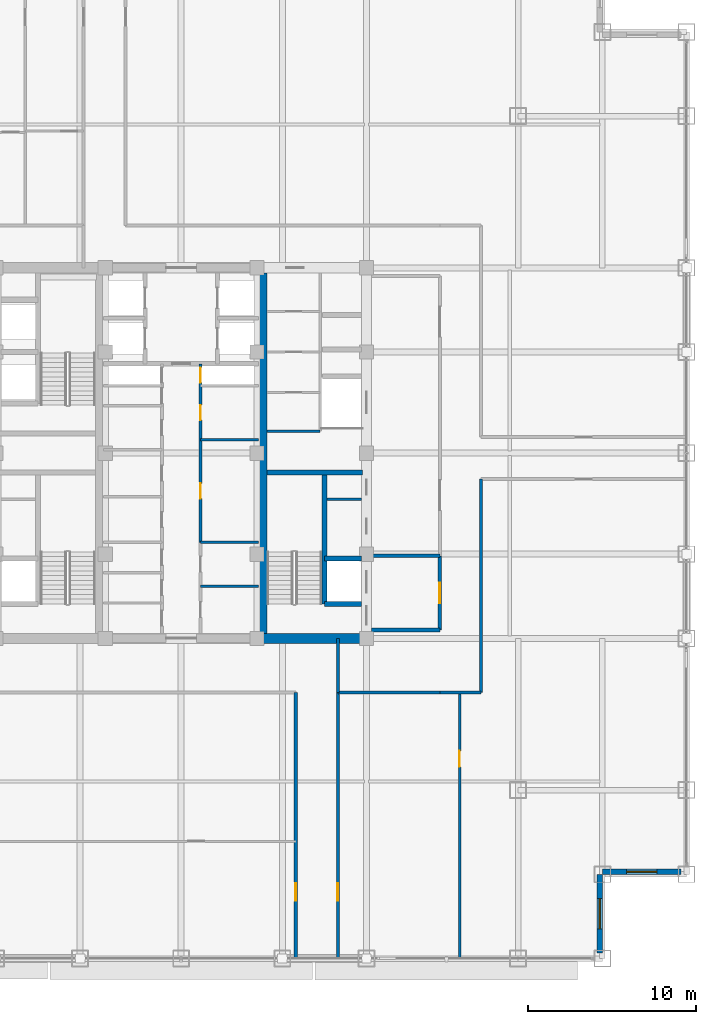
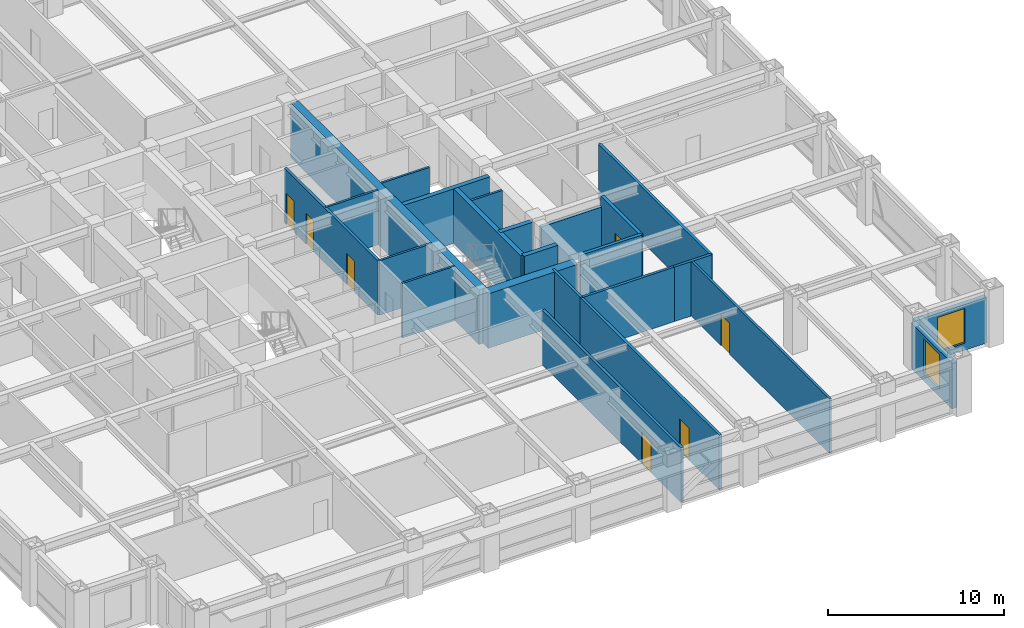
# One storey, part 21 of 29: 24 walls, 7 doors, 2 windows, 9 openings.
"""IFC4 building model written with IfcOpenShell, lengths in metres."""

from ifc_helpers import new_model, si_unit, direction, frame, frame_2d, origin, place, context, subcontext, project, spatial, rectangle, extrude, source, transform, mapped, material, layer, layer_set, type_object, element, fill, save


model = new_model("IFC4")

# Units and contexts
model_context = context("Model", 3, precision=1e-05, world=origin(), true_north=direction((0.0, 1.0)))
body_context = subcontext(model_context, "Body", "Model", "MODEL_VIEW")
ifc_project = project(units=[si_unit("LENGTHUNIT", "METRE"), si_unit("AREAUNIT", "SQUARE_METRE"), si_unit("VOLUMEUNIT", "CUBIC_METRE"), si_unit("PLANEANGLEUNIT", "RADIAN"), si_unit("MASSUNIT", "GRAM", prefix="KILO")], contexts=[model_context])

# Site, building, storey
site_placement = place(None, origin())
site = spatial("IfcSite", under=ifc_project, at=site_placement, CompositionType="ELEMENT")
building_placement = place(site_placement, origin())
building = spatial("IfcBuilding", under=site, at=building_placement, Name="Khorayat Bourse Tower", CompositionType="ELEMENT")
storey_placement = place(building_placement, frame((0.0, 0.0, 235.10009765625)))
storey = spatial("IfcBuildingStorey", under=building, at=storey_placement, Name="L55", CompositionType="ELEMENT", Elevation=235.10009765625)

# Walls
ifc_material_1 = material(Name="Concrete C52/65", Category="concrete")
ifc_layer_1 = layer(ifc_material_1, 0.5)
ifc_layer_set_1 = layer_set([ifc_layer_1], Name="Concrete C52/65")
wall_type_1 = type_object("IfcWallType", Name="WAL-CORE-500", PredefinedType="SHEAR", material=ifc_layer_set_1)
shared_shape_1 = source(origin(), body_context, "Body", "SweptSolid", [
    extrude(rectangle(XDim=21.39990234375, YDim=0.5, at=frame_2d((10.699951171875, 0.0))), origin(), (0.0, 0.0, 1.0), 3.77978515625),
])
wall_1_placement = place(storey_placement, frame((4.85009765625, -10.699951171875, 0.0), z_axis=(0.0, 0.0, 1.0), x_axis=(0.0, 1.0, 0.0)))
element("IfcWall", 1, at=wall_1_placement, inside=storey, type_object=wall_type_1, Name="L55 Core Shear Wall PIER-E", PredefinedType="SHEAR", context=body_context, shape_type="MappedRepresentation", body=[
    mapped(shared_shape_1, transform((0.0, 0.0, 0.0), scale=1.0)),
])
ifc_material_2 = material(Name="Concrete C60/75", Category="concrete")
ifc_layer_2 = layer(ifc_material_2, 0.60009765625)
ifc_layer_set_2 = layer_set([ifc_layer_2], Name="Concrete C60/75")
wall_type_2 = type_object("IfcWallType", Name="WAL-CORE-600", PredefinedType="SHEAR", material=ifc_layer_set_2)
shared_shape_2 = source(origin(), body_context, "Body", "SweptSolid", [
    extrude(rectangle(XDim=5.89990234375, YDim=0.60009765625, at=frame_2d((2.949951171875, 0.0))), origin(), (0.0, 0.0, 1.0), 3.77978515625),
])
wall_2_placement = place(storey_placement, frame((4.85009765625, -11.0, 0.0), z_axis=(0.0, 0.0, 1.0), x_axis=(1.0, 0.0, 0.0)))
element("IfcWall", 2, at=wall_2_placement, inside=storey, type_object=wall_type_2, Name="L55 Core Shear Wall PIER-ES", PredefinedType="SHEAR", context=body_context, shape_type="MappedRepresentation", body=[
    mapped(shared_shape_2, transform((0.0, 0.0, 0.0), scale=1.0)),
])
ifc_material_3 = material(Name="Concrete C50/60", Category="concrete")
ifc_layer_3 = layer(ifc_material_3, 0.300048828125)
ifc_layer_set_3 = layer_set([ifc_layer_3], Name="Concrete C50/60")
wall_type_3 = type_object("IfcWallType", Name="WAL-SHAFT-300", PredefinedType="SHEAR", material=ifc_layer_set_3)
shared_shape_3 = source(origin(), body_context, "Body", "SweptSolid", [
    extrude(rectangle(XDim=5.64990234375, YDim=0.300048828125, at=frame_2d((2.824951171875, 0.0))), origin(), (0.0, 0.0, 1.0), 3.77978515625),
])
wall_3_placement = place(storey_placement, frame((5.10009765625, -1.14990234375, 0.0), z_axis=(0.0, 0.0, 1.0), x_axis=(1.0, 0.0, 0.0)))
element("IfcWall", 3, at=wall_3_placement, inside=storey, type_object=wall_type_3, Name="L55 Core Shear Wall ST3-DIV", PredefinedType="SHEAR", context=body_context, shape_type="MappedRepresentation", body=[
    mapped(shared_shape_3, transform((0.0, 0.0, 0.0), scale=1.0)),
])

# Wall, opening, window
ifc_material_4 = material(Name="Precast concrete C45/55", Category="concrete")
ifc_layer_4 = layer(ifc_material_4, 0.320068359375)
ifc_layer_set_4 = layer_set([ifc_layer_4], Name="Precast concrete C45/55")
wall_type_4 = type_object("IfcWallType", Name="WAL-EXT-STONE-320", PredefinedType="STANDARD", material=ifc_layer_set_4)
shared_shape_4 = source(origin(), body_context, "Body", "SweptSolid", [
    extrude(rectangle(XDim=4.679931640625, YDim=0.320068359375, at=frame_2d((2.33984375, 0.0))), origin(), (0.0, 0.0, 1.0), 3.163818359375),
])
wall_4_placement = place(storey_placement, frame((24.840087890625, -29.679931640625, 0.0), z_axis=(0.0, 0.0, 1.0), x_axis=(0.0, 1.0, 0.0)))
wall_4 = element("IfcWall", 4, at=wall_4_placement, inside=storey, type_object=wall_type_4, Name="L55 Re-Entrant Notch Limestone Wall SE-V", PredefinedType="STANDARD", context=body_context, shape_type="MappedRepresentation", body=[
    mapped(shared_shape_4, transform((0.0, 0.0, 0.0), scale=1.0)),
])
shared_shape_5 = source(origin(), body_context, "Body", "SweptSolid", [
    extrude(rectangle(XDim=1.800048828125, YDim=2.39990234375, at=frame_2d((0.89990234375, 1.199951171875))), frame((0.0, 0.169921875, 0.0), z_axis=(0.0, -1.0, 0.0), x_axis=(1.0, 0.0, 0.0)), (0.0, 0.0, 1.0), 0.340087890625),
])
opening_1_placement = place(wall_4_placement, frame((1.43994140625, 0.0, 0.5)))
opening_1 = element("IfcOpeningElement", 5, at=opening_1_placement, cuts=wall_4, Name="Opening WN-04", PredefinedType="OPENING", context=body_context, shape_type="MappedRepresentation", body=[
    mapped(shared_shape_5, transform((0.0, 0.0, 0.0), scale=1.0)),
])
ifc_material_5 = material(Name="Low-E acoustic laminated double glazing", Category="glass")
window_type = type_object("IfcWindowType", Name="WIN-NOTCH-1800x2400", PartitioningType="SINGLE_PANEL", PredefinedType="WINDOW", material=ifc_material_5)
shared_shape_6 = source(origin(), body_context, "Body", "SweptSolid", [
    extrude(rectangle(XDim=1.800048828125, YDim=2.39990234375, at=frame_2d((0.89990234375, 1.199951171875))), frame((0.0, 0.030029296875, 0.0), z_axis=(0.0, -1.0, 0.0), x_axis=(1.0, 0.0, 0.0)), (0.0, 0.0, 1.0), 0.06005859375),
])
window_1_placement = place(opening_1_placement, origin())
window_1 = element("IfcWindow", 6, at=window_1_placement, inside=storey, type_object=window_type, Name="L55 Facade Window 1", OverallHeight=2.39990234375, OverallWidth=1.800048828125, PartitioningType="SINGLE_PANEL", PredefinedType="WINDOW", context=body_context, shape_type="MappedRepresentation", body=[
    mapped(shared_shape_6, transform((0.0, 0.0, 0.0), scale=1.0)),
])
fill(opening_1, window_1)

wall_5_placement = place(storey_placement, frame((25.0, -24.840087890625, 0.0), z_axis=(0.0, 0.0, 1.0), x_axis=(1.0, 0.0, 0.0)))
wall_5 = element("IfcWall", 7, at=wall_5_placement, inside=storey, type_object=wall_type_4, Name="L55 Re-Entrant Notch Limestone Wall SE-H", PredefinedType="STANDARD", context=body_context, shape_type="MappedRepresentation", body=[
    mapped(shared_shape_4, transform((0.0, 0.0, 0.0), scale=1.0)),
])
opening_2_placement = place(wall_5_placement, frame((1.43994140625, 0.0, 0.5)))
opening_2 = element("IfcOpeningElement", 8, at=opening_2_placement, cuts=wall_5, Name="Opening WN-04", PredefinedType="OPENING", context=body_context, shape_type="MappedRepresentation", body=[
    mapped(shared_shape_5, transform((0.0, 0.0, 0.0), scale=1.0)),
])
window_2_placement = place(opening_2_placement, origin())
window_2 = element("IfcWindow", 9, at=window_2_placement, inside=storey, type_object=window_type, Name="L55 Facade Window 1", OverallHeight=2.39990234375, OverallWidth=1.800048828125, PartitioningType="SINGLE_PANEL", PredefinedType="WINDOW", context=body_context, shape_type="MappedRepresentation", body=[
    mapped(shared_shape_6, transform((0.0, 0.0, 0.0), scale=1.0)),
])
fill(opening_2, window_2)

# Walls
ifc_material_6 = material(Name="Aerated concrete blockwork", Category="masonry")
ifc_layer_5 = layer(ifc_material_6, 0.219970703125)
ifc_layer_set_5 = layer_set([ifc_layer_5], Name="Aerated concrete blockwork")
wall_type_5 = type_object("IfcWallType", Name="WAL-PART-FF-220", PredefinedType="PARTITIONING", material=ifc_layer_set_5)
shared_shape_7 = source(origin(), body_context, "Body", "SweptSolid", [
    extrude(rectangle(XDim=4.050048828125, YDim=0.219970703125, at=frame_2d((2.02490234375, 0.0))), origin(), (0.0, 0.0, 1.0), 3.0849609375),
])
wall_6_placement = place(storey_placement, frame((11.300048828125, -6.10009765625, 0.0), z_axis=(0.0, 0.0, 1.0), x_axis=(1.0, 0.0, 0.0)))
element("IfcWall", 10, at=wall_6_placement, inside=storey, type_object=wall_type_5, Name="L55 Partition WAL-L55-FFLE-N", PredefinedType="PARTITIONING", context=body_context, shape_type="MappedRepresentation", body=[
    mapped(shared_shape_7, transform((0.0, 0.0, 0.0), scale=1.0)),
])
shared_shape_8 = source(origin(), body_context, "Body", "SweptSolid", [
    extrude(rectangle(XDim=7.800048828125, YDim=0.300048828125, at=frame_2d((3.89990234375, 0.0))), origin(), (0.0, 0.0, 1.0), 3.77978515625),
])
wall_7_placement = place(storey_placement, frame((8.5, -8.949951171875, 0.0), z_axis=(0.0, 0.0, 1.0), x_axis=(0.0, 1.0, 0.0)))
element("IfcWall", 11, at=wall_7_placement, inside=storey, type_object=wall_type_3, Name="L55 Partition WAL-L55-EPIER-SP", PredefinedType="SHEAR", context=body_context, shape_type="MappedRepresentation", body=[
    mapped(shared_shape_8, transform((0.0, 0.0, 0.0), scale=1.0)),
])
shared_shape_9 = source(origin(), body_context, "Body", "SweptSolid", [
    extrude(rectangle(XDim=2.199951171875, YDim=0.300048828125, at=frame_2d((1.10009765625, 0.0))), origin(), (0.0, 0.0, 1.0), 3.77978515625),
])
for number, where, z_axis, x_axis, name in (
    (12, (8.5, -8.949951171875, 0.0), (0.0, 0.0, 1.0), (1.0, 0.0, 0.0), "L55 Partition WAL-L55-EPIER-FF2S"),
    (13, (8.5, -6.25, 0.0), (0.0, 0.0, 1.0), (1.0, 0.0, 0.0), "L55 Partition WAL-L55-EPIER-FF2N"),
):
    element("IfcWall", number, at=place(storey_placement, frame(where, z_axis=z_axis, x_axis=x_axis)), inside=storey, type_object=wall_type_3, Name=name, PredefinedType="SHEAR", context=body_context, shape_type="MappedRepresentation", body=[
        mapped(shared_shape_9, transform((0.0, 0.0, 0.0), scale=1.0)),
    ])
ifc_material_7 = material(Name="Gypsum plasterboard twin-frame partition")
ifc_layer_6 = layer(ifc_material_7, 0.14990234375)
ifc_layer_set_6 = layer_set([ifc_layer_6], Name="Gypsum plasterboard twin-frame partition")
wall_type_6 = type_object("IfcWallType", Name="WAL-PART-SUITE-150", PredefinedType="PARTITIONING", material=ifc_layer_set_6)
shared_shape_10 = source(origin(), body_context, "Body", "SweptSolid", [
    extrude(rectangle(XDim=2.050048828125, YDim=0.14990234375, at=frame_2d((1.02490234375, 0.0))), origin(), (0.0, 0.0, 1.0), 3.77978515625),
])
wall_8_placement = place(storey_placement, frame((8.64990234375, -2.75, 0.0), z_axis=(0.0, 0.0, 1.0), x_axis=(1.0, 0.0, 0.0)))
element("IfcWall", 14, at=wall_8_placement, inside=storey, type_object=wall_type_6, Name="L55 Partition WAL-L55-ESRV-D1", PredefinedType="PARTITIONING", context=body_context, shape_type="MappedRepresentation", body=[
    mapped(shared_shape_10, transform((0.0, 0.0, 0.0), scale=1.0)),
])
ifc_material_8 = material(Name="Moisture-resistant masonry partition", Category="masonry")
ifc_layer_7 = layer(ifc_material_8, 0.139892578125)
ifc_layer_set_7 = layer_set([ifc_layer_7], Name="Moisture-resistant masonry partition")
wall_type_7 = type_object("IfcWallType", Name="WAL-PART-WET-140", PredefinedType="PARTITIONING", material=ifc_layer_set_7)
shared_shape_11 = source(origin(), body_context, "Body", "SweptSolid", [
    extrude(rectangle(XDim=3.14990234375, YDim=0.139892578125, at=frame_2d((1.574951171875, 0.0))), origin(), (0.0, 0.0, 1.0), 3.77978515625),
])
wall_9_placement = place(storey_placement, frame((5.10009765625, 1.300048828125, 0.0), z_axis=(0.0, 0.0, 1.0), x_axis=(1.0, 0.0, 0.0)))
element("IfcWall", 15, at=wall_9_placement, inside=storey, type_object=wall_type_7, Name="L55 Partition WAL-L55-ECORE-S", PredefinedType="PARTITIONING", context=body_context, shape_type="MappedRepresentation", body=[
    mapped(shared_shape_11, transform((0.0, 0.0, 0.0), scale=1.0)),
])
shared_shape_12 = source(origin(), body_context, "Body", "SweptSolid", [
    extrude(rectangle(XDim=4.050048828125, YDim=0.219970703125, at=frame_2d((2.02490234375, 0.0))), origin(), (0.0, 0.0, 1.0), 3.77978515625),
])
wall_10_placement = place(storey_placement, frame((11.300048828125, -10.5, 0.0), z_axis=(0.0, 0.0, 1.0), x_axis=(1.0, 0.0, 0.0)))
element("IfcWall", 16, at=wall_10_placement, inside=storey, type_object=wall_type_5, Name="L55 Partition WAL-L55-FFLE-S", PredefinedType="PARTITIONING", context=body_context, shape_type="MappedRepresentation", body=[
    mapped(shared_shape_12, transform((0.0, 0.0, 0.0), scale=1.0)),
])

# Wall, opening, door
shared_shape_13 = source(origin(), body_context, "Body", "SweptSolid", [
    extrude(rectangle(XDim=4.39990234375, YDim=0.219970703125, at=frame_2d((2.199951171875, 0.0))), origin(), (0.0, 0.0, 1.0), 3.77978515625),
])
wall_11_placement = place(storey_placement, frame((15.35009765625, -10.5, 0.0), z_axis=(0.0, 0.0, 1.0), x_axis=(0.0, 1.0, 0.0)))
wall_11 = element("IfcWall", 17, at=wall_11_placement, inside=storey, type_object=wall_type_5, Name="L55 Partition WAL-L55-FFLE-E", PredefinedType="PARTITIONING", context=body_context, shape_type="MappedRepresentation", body=[
    mapped(shared_shape_13, transform((0.0, 0.0, 0.0), scale=1.0)),
])
shared_shape_14 = source(origin(), body_context, "Body", "SweptSolid", [
    extrude(rectangle(XDim=1.199951171875, YDim=2.199951171875, at=frame_2d((0.60009765625, 1.10009765625))), frame((0.0, 0.119873046875, 0.0), z_axis=(0.0, -1.0, 0.0), x_axis=(1.0, 0.0, 0.0)), (0.0, 0.0, 1.0), 0.239990234375),
])
opening_3_placement = place(wall_11_placement, frame((1.60009765625, 0.0, 0.0)))
opening_3 = element("IfcOpeningElement", 18, at=opening_3_placement, cuts=wall_11, Name="Opening DI-02", PredefinedType="OPENING", context=body_context, shape_type="MappedRepresentation", body=[
    mapped(shared_shape_14, transform((0.0, 0.0, 0.0), scale=1.0)),
])
ifc_material_9 = material(Name="Fire-rated steel double-seal leaf", Category="steel")
door_type_1 = type_object("IfcDoorType", Name="DR-INT-FFLOBBY-1200", OperationType="NOTDEFINED", PredefinedType="DOOR", material=ifc_material_9)
shared_shape_15 = source(origin(), body_context, "Body", "SweptSolid", [
    extrude(rectangle(XDim=1.199951171875, YDim=2.199951171875, at=frame_2d((0.60009765625, 1.10009765625))), frame((0.0, 0.02490234375, 0.0), z_axis=(0.0, -1.0, 0.0), x_axis=(1.0, 0.0, 0.0)), (0.0, 0.0, 1.0), 0.050048828125),
])
door_1_placement = place(opening_3_placement, origin())
door_1 = element("IfcDoor", 19, at=door_1_placement, inside=storey, type_object=door_type_1, Name="L55 East Firefighting Lobby Door", OperationType="SINGLE_SWING_RIGHT", OverallHeight=2.199951171875, OverallWidth=1.199951171875, PredefinedType="DOOR", context=body_context, shape_type="MappedRepresentation", body=[
    mapped(shared_shape_15, transform((0.0, 0.0, 0.0), scale=1.0)),
])
fill(opening_3, door_1)

# Walls
shared_shape_16 = source(origin(), body_context, "Body", "SweptSolid", [
    extrude(rectangle(XDim=3.4501953125, YDim=0.14990234375, at=frame_2d((1.72509765625, 0.0))), origin(), (0.0, 0.0, 1.0), 3.77978515625),
])
wall_12_placement = place(storey_placement, frame((1.14990234375, -5.300048828125, 0.0), z_axis=(0.0, 0.0, 1.0), x_axis=(1.0, 0.0, 0.0)))
element("IfcWall", 20, at=wall_12_placement, inside=storey, type_object=wall_type_6, Name="L55 Partition WAL-L55-FB1-NE", PredefinedType="PARTITIONING", context=body_context, shape_type="MappedRepresentation", body=[
    mapped(shared_shape_16, transform((0.0, 0.0, 0.0), scale=1.0)),
])
shared_shape_17 = source(origin(), body_context, "Body", "SweptSolid", [
    extrude(rectangle(XDim=3.4501953125, YDim=0.139892578125, at=frame_2d((1.72509765625, 0.0))), origin(), (0.0, 0.0, 1.0), 3.77978515625),
])
for number, where, z_axis, x_axis, name in (
    (21, (1.14990234375, -7.89990234375, 0.0), (0.0, 0.0, 1.0), (1.0, 0.0, 0.0), "L55 Partition WAL-L55-FB1E-D1"),
    (22, (1.14990234375, 0.800048828125, 0.0), (0.0, 0.0, 1.0), (1.0, 0.0, 0.0), "L55 Partition WAL-L55-CME-D1"),
):
    element("IfcWall", number, at=place(storey_placement, frame(where, z_axis=z_axis, x_axis=x_axis)), inside=storey, type_object=wall_type_7, Name=name, PredefinedType="PARTITIONING", context=body_context, shape_type="MappedRepresentation", body=[
        mapped(shared_shape_17, transform((0.0, 0.0, 0.0), scale=1.0)),
    ])

# Wall, openings, doors
ifc_material_10 = material(Name="Gypsum plasterboard acoustic stud wall")
ifc_layer_8 = layer(ifc_material_10, 0.179931640625)
ifc_layer_set_8 = layer_set([ifc_layer_8], Name="Gypsum plasterboard acoustic stud wall")
wall_type_8 = type_object("IfcWallType", Name="WAL-PART-CORR-180", PredefinedType="PARTITIONING", material=ifc_layer_set_8)
shared_shape_18 = source(origin(), body_context, "Body", "SweptSolid", [
    extrude(rectangle(XDim=10.60009765625, YDim=0.179931640625, at=frame_2d((5.300048828125, 0.0))), origin(), (0.0, 0.0, 1.0), 3.77978515625),
])
wall_13_placement = place(storey_placement, frame((1.14990234375, -5.300048828125, 0.0), z_axis=(0.0, 0.0, 1.0), x_axis=(0.0, 1.0, 0.0)))
wall_13 = element("IfcWall", 23, at=wall_13_placement, inside=storey, type_object=wall_type_8, Name="L55 Partition WAL-L55-CME-L", PredefinedType="PARTITIONING", context=body_context, shape_type="MappedRepresentation", body=[
    mapped(shared_shape_18, transform((0.0, 0.0, 0.0), scale=1.0)),
])
shared_shape_19 = source(origin(), body_context, "Body", "SweptSolid", [
    extrude(rectangle(XDim=0.89990234375, YDim=2.14990234375, at=frame_2d((0.449951171875, 1.074951171875))), frame((0.0, 0.099853515625, 0.0), z_axis=(0.0, -1.0, 0.0), x_axis=(1.0, 0.0, 0.0)), (0.0, 0.0, 1.0), 0.199951171875),
])
opening_4_placement = place(wall_13_placement, frame((2.60009765625, 0.0, 0.0)))
opening_4 = element("IfcOpeningElement", 24, at=opening_4_placement, cuts=wall_13, Name="Opening DI-06", PredefinedType="OPENING", context=body_context, shape_type="MappedRepresentation", body=[
    mapped(shared_shape_19, transform((0.0, 0.0, 0.0), scale=1.0)),
])
opening_5_placement = place(wall_13_placement, frame((7.25, 0.0, 0.0)))
opening_5 = element("IfcOpeningElement", 25, at=opening_5_placement, cuts=wall_13, Name="Opening DI-06", PredefinedType="OPENING", context=body_context, shape_type="MappedRepresentation", body=[
    mapped(shared_shape_19, transform((0.0, 0.0, 0.0), scale=1.0)),
])
opening_6_placement = place(wall_13_placement, frame((9.47509765625, 0.0, 0.0)))
opening_6 = element("IfcOpeningElement", 26, at=opening_6_placement, cuts=wall_13, Name="Opening DI-06", PredefinedType="OPENING", context=body_context, shape_type="MappedRepresentation", body=[
    mapped(shared_shape_19, transform((0.0, 0.0, 0.0), scale=1.0)),
])
ifc_material_11 = material(Name="Moisture-resistant laminate washroom door")
door_type_2 = type_object("IfcDoorType", Name="DR-INT-WC-900", OperationType="NOTDEFINED", PredefinedType="DOOR", material=ifc_material_11)
shared_shape_20 = source(origin(), body_context, "Body", "SweptSolid", [
    extrude(rectangle(XDim=0.89990234375, YDim=2.14990234375, at=frame_2d((0.449951171875, 1.074951171875))), frame((0.0, 0.02490234375, 0.0), z_axis=(0.0, -1.0, 0.0), x_axis=(1.0, 0.0, 0.0)), (0.0, 0.0, 1.0), 0.050048828125),
])
door_2_placement = place(opening_4_placement, origin())
door_2 = element("IfcDoor", 27, at=door_2_placement, inside=storey, type_object=door_type_2, Name="L55 Female Core Washroom Door", OperationType="SINGLE_SWING_RIGHT", OverallHeight=2.14990234375, OverallWidth=0.89990234375, PredefinedType="DOOR", context=body_context, shape_type="MappedRepresentation", body=[
    mapped(shared_shape_20, transform((0.0, 0.0, 0.0), scale=1.0)),
])
fill(opening_4, door_2)
door_3_placement = place(opening_5_placement, origin())
door_3 = element("IfcDoor", 28, at=door_3_placement, inside=storey, type_object=door_type_2, Name="L55 Smoke Extract Fan Plant Room Door", OperationType="SINGLE_SWING_LEFT", OverallHeight=2.14990234375, OverallWidth=0.89990234375, PredefinedType="DOOR", context=body_context, shape_type="MappedRepresentation", body=[
    mapped(shared_shape_20, transform((0.0, 0.0, 0.0), scale=1.0)),
])
fill(opening_5, door_3)
door_4_placement = place(opening_6_placement, origin())
door_4 = element("IfcDoor", 29, at=door_4_placement, inside=storey, type_object=door_type_2, Name="L55 East Core Riser Door", OperationType="SINGLE_SWING_RIGHT", OverallHeight=2.14990234375, OverallWidth=0.89990234375, PredefinedType="DOOR", context=body_context, shape_type="MappedRepresentation", body=[
    mapped(shared_shape_20, transform((0.0, 0.0, 0.0), scale=1.0)),
])
fill(opening_6, door_4)

# Walls
shared_shape_21 = source(origin(), body_context, "Body", "SweptSolid", [
    extrude(rectangle(XDim=2.449951171875, YDim=0.179931640625, at=frame_2d((1.22509765625, 0.0))), origin(), (0.0, 0.0, 1.0), 3.77978515625),
])
wall_14_placement = place(storey_placement, frame((15.35009765625, -14.199951171875, 0.0), z_axis=(0.0, 0.0, 1.0), x_axis=(1.0, 0.0, 0.0)))
element("IfcWall", 30, at=wall_14_placement, inside=storey, type_object=wall_type_8, Name="L55 Partition WAL-L55-C2-ES", PredefinedType="PARTITIONING", context=body_context, shape_type="MappedRepresentation", body=[
    mapped(shared_shape_21, transform((0.0, 0.0, 0.0), scale=1.0)),
])
shared_shape_22 = source(origin(), body_context, "Body", "SweptSolid", [
    extrude(rectangle(XDim=3.199951171875, YDim=0.179931640625, at=frame_2d((1.60009765625, 0.0))), origin(), (0.0, 0.0, 1.0), 3.77978515625),
])
wall_15_placement = place(storey_placement, frame((9.300048828125, -14.199951171875, 0.0), z_axis=(0.0, 0.0, 1.0), x_axis=(0.0, 1.0, 0.0)))
element("IfcWall", 31, at=wall_15_placement, inside=storey, type_object=wall_type_8, Name="L55 Partition WAL-L55-C2-SCE", PredefinedType="PARTITIONING", context=body_context, shape_type="MappedRepresentation", body=[
    mapped(shared_shape_22, transform((0.0, 0.0, 0.0), scale=1.0)),
])

# Wall, opening, door
shared_shape_23 = source(origin(), body_context, "Body", "SweptSolid", [
    extrude(rectangle(XDim=15.800048828125, YDim=0.14990234375, at=frame_2d((7.89990234375, 0.0))), origin(), (0.0, 0.0, 1.0), 3.77978515625),
])
wall_16_placement = place(storey_placement, frame((16.52197265625, -30.0, 0.0), z_axis=(0.0, 0.0, 1.0), x_axis=(0.0, 1.0, 0.0)))
wall_16 = element("IfcWall", 32, at=wall_16_placement, inside=storey, type_object=wall_type_6, Name="L55 Partition WAL-L55-QSEDV-1", PredefinedType="PARTITIONING", context=body_context, shape_type="MappedRepresentation", body=[
    mapped(shared_shape_23, transform((0.0, 0.0, 0.0), scale=1.0)),
])
shared_shape_24 = source(origin(), body_context, "Body", "SweptSolid", [
    extrude(rectangle(XDim=0.949951171875, YDim=2.14990234375, at=frame_2d((0.47509765625, 1.074951171875))), frame((0.0, 0.0849609375, 0.0), z_axis=(0.0, -1.0, 0.0), x_axis=(1.0, 0.0, 0.0)), (0.0, 0.0, 1.0), 0.169921875),
])
opening_7_placement = place(wall_16_placement, frame((11.375, 0.0, 0.0)))
opening_7 = element("IfcOpeningElement", 33, at=opening_7_placement, cuts=wall_16, Name="Opening DI-05", PredefinedType="OPENING", context=body_context, shape_type="MappedRepresentation", body=[
    mapped(shared_shape_24, transform((0.0, 0.0, 0.0), scale=1.0)),
])
ifc_material_12 = material(Name="Acoustic oak veneer office door")
door_type_3 = type_object("IfcDoorType", Name="DR-INT-OFFICE-950", OperationType="NOTDEFINED", PredefinedType="DOOR", material=ifc_material_12)
shared_shape_25 = source(origin(), body_context, "Body", "SweptSolid", [
    extrude(rectangle(XDim=0.949951171875, YDim=2.14990234375, at=frame_2d((0.47509765625, 1.074951171875))), frame((0.0, 0.02490234375, 0.0), z_axis=(0.0, -1.0, 0.0), x_axis=(1.0, 0.0, 0.0)), (0.0, 0.0, 1.0), 0.050048828125),
])
door_5_placement = place(opening_7_placement, origin())
door_5 = element("IfcDoor", 34, at=door_5_placement, inside=storey, type_object=door_type_3, Name="L55 South-East Suite Link 1", OperationType="SINGLE_SWING_RIGHT", OverallHeight=2.14990234375, OverallWidth=0.949951171875, PredefinedType="DOOR", context=body_context, shape_type="MappedRepresentation", body=[
    mapped(shared_shape_25, transform((0.0, 0.0, 0.0), scale=1.0)),
])
fill(opening_7, door_5)

shared_shape_26 = source(origin(), body_context, "Body", "SweptSolid", [
    extrude(rectangle(XDim=15.800048828125, YDim=0.179931640625, at=frame_2d((7.89990234375, 0.0))), origin(), (0.0, 0.0, 1.0), 3.77978515625),
])
wall_17_placement = place(storey_placement, frame((6.800048828125, -30.0, 0.0), z_axis=(0.0, 0.0, 1.0), x_axis=(0.0, 1.0, 0.0)))
wall_17 = element("IfcWall", 35, at=wall_17_placement, inside=storey, type_object=wall_type_8, Name="L55 Partition WAL-L55-QSW-SPK", PredefinedType="PARTITIONING", context=body_context, shape_type="MappedRepresentation", body=[
    mapped(shared_shape_26, transform((0.0, 0.0, 0.0), scale=1.0)),
])
shared_shape_27 = source(origin(), body_context, "Body", "SweptSolid", [
    extrude(rectangle(XDim=1.050048828125, YDim=2.199951171875, at=frame_2d((0.52490234375, 1.10009765625))), frame((0.0, 0.099853515625, 0.0), z_axis=(0.0, -1.0, 0.0), x_axis=(1.0, 0.0, 0.0)), (0.0, 0.0, 1.0), 0.199951171875),
])
opening_8_placement = place(wall_17_placement, frame((3.425048828125, 0.0, 0.0)))
opening_8 = element("IfcOpeningElement", 36, at=opening_8_placement, cuts=wall_17, Name="Opening DI-04", PredefinedType="OPENING", context=body_context, shape_type="MappedRepresentation", body=[
    mapped(shared_shape_27, transform((0.0, 0.0, 0.0), scale=1.0)),
])
ifc_material_13 = material(Name="Fire-rated oak veneer suite entrance door")
door_type_4 = type_object("IfcDoorType", Name="DR-INT-SUITE-1050", OperationType="NOTDEFINED", PredefinedType="DOOR", material=ifc_material_13)
shared_shape_28 = source(origin(), body_context, "Body", "SweptSolid", [
    extrude(rectangle(XDim=1.050048828125, YDim=2.199951171875, at=frame_2d((0.52490234375, 1.10009765625))), frame((0.0, 0.02490234375, 0.0), z_axis=(0.0, -1.0, 0.0), x_axis=(1.0, 0.0, 0.0)), (0.0, 0.0, 1.0), 0.050048828125),
])
door_6_placement = place(opening_8_placement, origin())
door_6 = element("IfcDoor", 37, at=door_6_placement, inside=storey, type_object=door_type_4, Name="L55 South-West Radial Spoke Entry", OperationType="SINGLE_SWING_LEFT", OverallHeight=2.199951171875, OverallWidth=1.050048828125, PredefinedType="DOOR", context=body_context, shape_type="MappedRepresentation", body=[
    mapped(shared_shape_28, transform((0.0, 0.0, 0.0), scale=1.0)),
])
fill(opening_8, door_6)

wall_18_placement = place(storey_placement, frame((9.300048828125, -30.0, 0.0), z_axis=(0.0, 0.0, 1.0), x_axis=(0.0, 1.0, 0.0)))
wall_18 = element("IfcWall", 38, at=wall_18_placement, inside=storey, type_object=wall_type_8, Name="L55 Partition WAL-L55-QSE-SPK", PredefinedType="PARTITIONING", context=body_context, shape_type="MappedRepresentation", body=[
    mapped(shared_shape_26, transform((0.0, 0.0, 0.0), scale=1.0)),
])
opening_9_placement = place(wall_18_placement, frame((3.425048828125, 0.0, 0.0)))
opening_9 = element("IfcOpeningElement", 39, at=opening_9_placement, cuts=wall_18, Name="Opening DI-04", PredefinedType="OPENING", context=body_context, shape_type="MappedRepresentation", body=[
    mapped(shared_shape_27, transform((0.0, 0.0, 0.0), scale=1.0)),
])
door_7_placement = place(opening_9_placement, origin())
door_7 = element("IfcDoor", 40, at=door_7_placement, inside=storey, type_object=door_type_4, Name="L55 South-East Radial Spoke Entry", OperationType="SINGLE_SWING_LEFT", OverallHeight=2.199951171875, OverallWidth=1.050048828125, PredefinedType="DOOR", context=body_context, shape_type="MappedRepresentation", body=[
    mapped(shared_shape_28, transform((0.0, 0.0, 0.0), scale=1.0)),
])
fill(opening_9, door_7)

# Walls
shared_shape_29 = source(origin(), body_context, "Body", "SweptSolid", [
    extrude(rectangle(XDim=6.050048828125, YDim=0.179931640625, at=frame_2d((3.02490234375, 0.0))), origin(), (0.0, 0.0, 1.0), 3.77978515625),
])
wall_19_placement = place(storey_placement, frame((9.300048828125, -14.199951171875, 0.0), z_axis=(0.0, 0.0, 1.0), x_axis=(1.0, 0.0, 0.0)))
element("IfcWall", 41, at=wall_19_placement, inside=storey, type_object=wall_type_8, Name="L55 Partition WAL-L55-QSE-HC", PredefinedType="PARTITIONING", context=body_context, shape_type="MappedRepresentation", body=[
    mapped(shared_shape_29, transform((0.0, 0.0, 0.0), scale=1.0)),
])
shared_shape_30 = source(origin(), body_context, "Body", "SweptSolid", [
    extrude(rectangle(XDim=12.64990234375, YDim=0.179931640625, at=frame_2d((6.324951171875, 0.0))), origin(), (0.0, 0.0, 1.0), 3.77978515625),
])
wall_20_placement = place(storey_placement, frame((17.800048828125, -14.199951171875, 0.0), z_axis=(0.0, 0.0, 1.0), x_axis=(0.0, 1.0, 0.0)))
element("IfcWall", 42, at=wall_20_placement, inside=storey, type_object=wall_type_8, Name="L55 Partition WAL-L55-ES-IN", PredefinedType="PARTITIONING", context=body_context, shape_type="MappedRepresentation", body=[
    mapped(shared_shape_30, transform((0.0, 0.0, 0.0), scale=1.0)),
])

save(model, "model.ifc")
